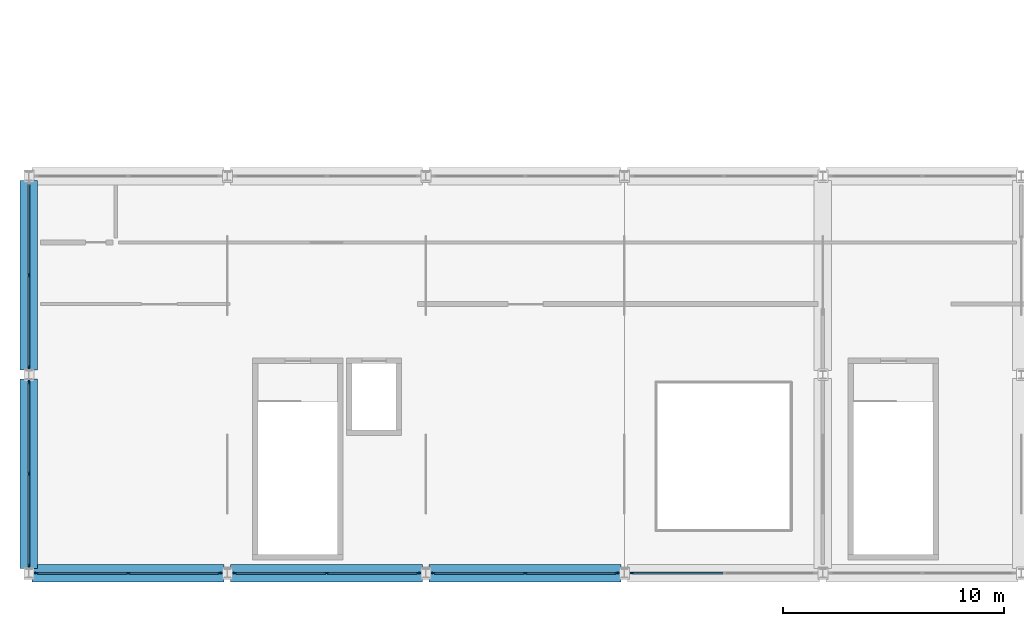
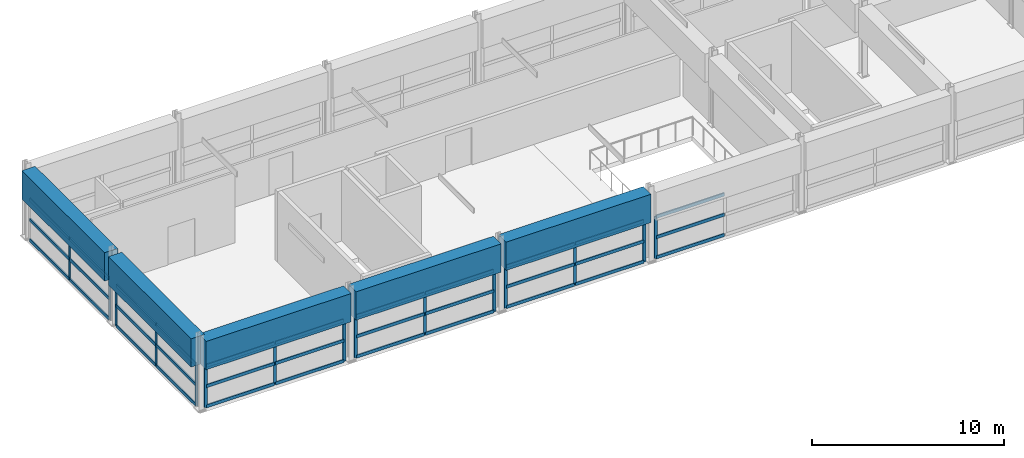
# One storey, part 3 of 56: 48 members, 5 beams, 6 elements without a shape of their own.
"""IFC4 building model written with IfcOpenShell, lengths in metres."""

import ifcopenshell
import ifcopenshell.guid

model = None  # the IFC model being written
_history = None  # IfcOwnerHistory: only IFC2X3 demands one
_inside = {}  # id of a spatial element -> (the spatial element, [elements in it])
_under = {}  # id of a project, library or spatial element -> (it, [spatial elements below it])
_declared = {}  # id of a project -> (the project, [libraries it declares])
_typed = {}  # id of a type object -> (the type object, [elements of that type])
_made_of = {}  # id of a material, layer set ... -> (it, [elements and type objects made of it])


def new_model(schema):
    """Start an empty IFC model of exactly this schema.

    Asked for "IFC4X3", IfcOpenShell would pick the latest addendum, in which some entities
    have other attributes; the version numbers below select the first issue.
    IFC2X3 requires an IfcOwnerHistory on every rooted entity: one is made here for all.
    """
    global model, _history
    if schema == "IFC4X3":
        model = ifcopenshell.file(schema_version=(4, 3, 0, 0))
    else:
        model = ifcopenshell.file(schema=schema)
    _inside.clear()
    _under.clear()
    _declared.clear()
    _typed.clear()
    _made_of.clear()
    _history = None
    if model.schema == "IFC2X3":
        org = make("IfcOrganization", Name="unknown")
        user = make(
            "IfcPersonAndOrganization",
            ThePerson=make("IfcPerson", FamilyName="unknown"),
            TheOrganization=org,
        )
        app = make(
            "IfcApplication",
            ApplicationDeveloper=org,
            Version="unknown",
            ApplicationFullName="unknown",
            ApplicationIdentifier="unknown",
        )
        _history = make(
            "IfcOwnerHistory",
            OwningUser=user,
            OwningApplication=app,
            ChangeAction="ADDED",
            CreationDate=0,
        )
    return model


def make(cls, **values):
    """One entity of the class cls with the attributes given. An attribute that is None is left unset."""
    return model.create_entity(
        cls, **{name: value for name, value in values.items() if value is not None}
    )


def rooted(cls, **values):
    """An entity with a GlobalId (a new one), such as an element, a storey or a relation."""
    return make(cls, GlobalId=ifcopenshell.guid.new(), OwnerHistory=_history, **values)


def si_unit(unit_type, name, prefix=None):
    """IfcSIUnit, for example si_unit("LENGTHUNIT", "METRE", prefix="MILLI")."""
    return make("IfcSIUnit", UnitType=unit_type, Prefix=prefix, Name=name)


def assignment(units):
    """IfcUnitAssignment: the units of a project."""
    return None if units is None else make("IfcUnitAssignment", Units=units)


def point(xyz):
    """IfcCartesianPoint."""
    return None if xyz is None else make("IfcCartesianPoint", Coordinates=xyz)


def direction(xyz):
    """IfcDirection."""
    return None if xyz is None else make("IfcDirection", DirectionRatios=xyz)


def frame(location, z_axis=None, x_axis=None):
    """IfcAxis2Placement3D, a coordinate frame: its origin and axes. An axis left out is left unset."""
    return make(
        "IfcAxis2Placement3D",
        Location=point(location),
        Axis=direction(z_axis),
        RefDirection=direction(x_axis),
    )


def frame_2d(location, x_axis=None):
    """IfcAxis2Placement2D, a coordinate frame in the plane: its origin and x axis."""
    return make(
        "IfcAxis2Placement2D", Location=point(location), RefDirection=direction(x_axis)
    )


def origin():
    """The frame at (0, 0, 0) with its axes left unset."""
    return frame((0.0, 0.0, 0.0))


def origin_2d():
    """The frame at (0, 0) in the plane with its x axis left unset."""
    return frame_2d((0.0, 0.0))


def place(relative_to, where):
    """IfcLocalPlacement: puts the frame where relative to a parent placement (None: the world)."""
    return make(
        "IfcLocalPlacement", PlacementRelTo=relative_to, RelativePlacement=where
    )


def context(
    kind, dimensions, precision=None, world=None, true_north=None, identifier=None
):
    """IfcGeometricRepresentationContext, for example the 3D "Model" context."""
    return make(
        "IfcGeometricRepresentationContext",
        ContextIdentifier=identifier,
        ContextType=kind,
        CoordinateSpaceDimension=dimensions,
        Precision=precision,
        WorldCoordinateSystem=world,
        TrueNorth=true_north,
    )


def subcontext(parent, identifier, kind, view, scale=None):
    """IfcGeometricRepresentationSubContext, for example "Body" below "Model"."""
    return make(
        "IfcGeometricRepresentationSubContext",
        ContextIdentifier=identifier,
        ContextType=kind,
        ParentContext=parent,
        TargetScale=scale,
        TargetView=view,
    )


def project(units=None, contexts=None):
    """IfcProject with its units and contexts."""
    return rooted(
        "IfcProject",
        Name="project",
        RepresentationContexts=contexts,
        UnitsInContext=assignment(units),
    )


def spatial(cls, under=None, at=None, **own):
    """A site, building, storey or space (cls), placed at a placement, below another one or the project."""
    s = rooted(cls, ObjectPlacement=at, **own)
    if under is not None:
        _under.setdefault(under.id(), (under, []))[1].append(s)
    return s


def profile(cls, at=None, kind="AREA", **sizes):
    """A parametric profile (cls). Its sizes go by their IFC names, for example OverallWidth=200.0."""
    return make(cls, ProfileType=kind, Position=at, **sizes)


def rectangle(**sizes):
    """IfcRectangleProfileDef."""
    return profile("IfcRectangleProfileDef", **sizes)


def extrude(swept, where, along, depth):
    """IfcExtrudedAreaSolid: the profile swept, set in the frame where, extruded along a direction by depth."""
    return make(
        "IfcExtrudedAreaSolid",
        SweptArea=swept,
        Position=where,
        ExtrudedDirection=direction(along),
        Depth=depth,
    )


def shape(context_of_items, identifier, shape_type, items):
    """IfcShapeRepresentation: the items that make up one representation, for example the "Body"."""
    return make(
        "IfcShapeRepresentation",
        ContextOfItems=context_of_items,
        RepresentationIdentifier=identifier,
        RepresentationType=shape_type,
        Items=items,
    )


def material(Name=None, Category=None):
    """IfcMaterial."""
    return make("IfcMaterial", Name=Name, Category=Category)


def material_profile(
    of_material, cross_section, Name=None, Category=None, Priority=None
):
    """IfcMaterialProfile: a cross section and its material."""
    return make(
        "IfcMaterialProfile",
        Name=Name,
        Material=of_material,
        Profile=cross_section,
        Priority=Priority,
        Category=Category,
    )


def profile_set(profiles, Name=None, composite=None):
    """IfcMaterialProfileSet."""
    return make(
        "IfcMaterialProfileSet",
        Name=Name,
        MaterialProfiles=profiles,
        CompositeProfile=composite,
    )


def made_of(thing, what):
    """Note that an element or type object is made of a material, layer set ...; save() writes the relation."""
    if what is not None:
        _made_of.setdefault(what.id(), (what, []))[1].append(thing)
    return thing


def type_object(cls, material=None, **own):
    """A type object (cls), such as IfcWallType, which elements share."""
    return made_of(rooted(cls, **own), material)


def element(
    cls,
    number,
    at=None,
    inside=None,
    cuts=None,
    type_object=None,
    material=None,
    context=None,
    identifier="Body",
    shape_type=None,
    held_by="IfcProductDefinitionShape",
    body=None,
    shapes=None,
    **own,
):
    """One element of the class cls, such as IfcWall. Its Tag is "e" and its number.

    at: its placement. inside: the storey or other place that contains it. cuts: it is an
    opening in that element (IfcRelVoidsElement). A single representation is given by context,
    identifier, shape_type and body (its items); several are given by shapes. held_by: the class
    of the entity that holds the representations. save() writes the other relations.
    """
    e = rooted(cls, Tag="e%d" % number, ObjectPlacement=at, **own)
    if body is not None:
        shapes = [shape(context, identifier, shape_type, body)]
    if shapes is not None:
        e.Representation = make(held_by, Representations=shapes)
    if inside is not None:
        _inside.setdefault(inside.id(), (inside, []))[1].append(e)
    if cuts is not None:
        rooted(
            "IfcRelVoidsElement", RelatingBuildingElement=cuts, RelatedOpeningElement=e
        )
    if type_object is not None:
        _typed.setdefault(type_object.id(), (type_object, []))[1].append(e)
    return made_of(e, material)


def aggregate(whole, parts):
    """IfcRelAggregates: a whole, such as a stair, and the parts it consists of."""
    return rooted("IfcRelAggregates", RelatingObject=whole, RelatedObjects=parts)


def save(model, path):
    """Write the relations noted so far, then the file.

    IfcRelAggregates (storeys below a building ...), IfcRelContainedInSpatialStructure (elements
    in a storey), IfcRelDefinesByType, IfcRelAssociatesMaterial and IfcRelDeclares: one each for
    every whole, place, type object, material and project.
    """
    for whole, parts in _under.values():
        aggregate(whole, parts)
    for where, things in _inside.values():
        rooted(
            "IfcRelContainedInSpatialStructure",
            RelatedElements=things,
            RelatingStructure=where,
        )
    for kind, things in _typed.values():
        rooted("IfcRelDefinesByType", RelatedObjects=things, RelatingType=kind)
    for what, things in _made_of.values():
        rooted("IfcRelAssociatesMaterial", RelatedObjects=things, RelatingMaterial=what)
    for by, libraries in _declared.values():
        rooted("IfcRelDeclares", RelatingContext=by, RelatedDefinitions=libraries)
    model.write(path)


model = new_model("IFC4")

# Units and contexts
model_context = context("Model", 3, precision=1e-05, world=origin(), true_north=direction((0.0, 1.0)))
body_context = subcontext(model_context, "Body", "Model", "MODEL_VIEW")
ifc_project = project(units=[si_unit("LENGTHUNIT", "METRE"), si_unit("AREAUNIT", "SQUARE_METRE"), si_unit("VOLUMEUNIT", "CUBIC_METRE"), si_unit("PLANEANGLEUNIT", "RADIAN"), si_unit("MASSUNIT", "GRAM", prefix="KILO")], contexts=[model_context])

# Site, building, storey
site_placement = place(None, origin())
site = spatial("IfcSite", under=ifc_project, at=site_placement, CompositionType="ELEMENT")
building_placement = place(site_placement, origin())
building = spatial("IfcBuilding", under=site, at=building_placement, Name="Bozkorgan Art Gallery", CompositionType="ELEMENT")
storey_placement = place(building_placement, frame((0.0, 0.0, 24.0)))
storey = spatial("IfcBuildingStorey", under=building, at=storey_placement, Name="L05", CompositionType="ELEMENT", Elevation=24.0)

# Beams
ifc_material_1 = material(Name="Concrete C35/45", Category="concrete")
ifc_material_profile_1 = material_profile(ifc_material_1, rectangle(XDim=0.800048828125, YDim=1.800048828125, at=origin_2d()), Name="RC 800x1800")
ifc_profile_set_1 = profile_set([ifc_material_profile_1], Name="Concrete C35/45")
beam_type = type_object("IfcBeamType", Name="BEAM-BM-77", PredefinedType="BEAM", material=ifc_profile_set_1)
for number, where, z_axis, x_axis, name in (
    (1, (2.14990234375, 2.0, 3.580078125), (1.0, 0.0, 0.0), (0.0, 1.0, 0.0), "V1 L05 beam X (2-11, 2.0)"),
    (2, (11.14990234375, 2.0, 3.580078125), (1.0, 0.0, 0.0), (0.0, 1.0, 0.0), "V1 L05 beam X (11-20, 2.0)"),
    (3, (20.14990234375, 2.0, 3.580078125), (1.0, 0.0, 0.0), (0.0, 1.0, 0.0), "V1 L05 beam X (20-29, 2.0)"),
):
    element("IfcBeam", number, at=place(storey_placement, frame(where, z_axis=z_axis, x_axis=x_axis)), inside=storey, type_object=beam_type, Name=name, PredefinedType="BEAM", context=body_context, shape_type="SweptSolid", body=[
        extrude(rectangle(XDim=0.800048828125, YDim=1.800048828125, at=origin_2d()), origin(), (0.0, 0.0, 1.0), 8.7001953125),
    ])
for number, where, z_axis, x_axis, name in (
    (4, (2.0, 2.199951171875, 3.580078125), (0.0, 1.0, 0.0), (-1.0, 0.0, 0.0), "V1 L05 beam Y (2, 2.0-11.0)"),
    (5, (2.0, 11.199951171875, 3.580078125), (0.0, 1.0, 0.0), (-1.0, 0.0, 0.0), "V1 L05 beam Y (2, 11.0-20.0)"),
):
    element("IfcBeam", number, at=place(storey_placement, frame(where, z_axis=z_axis, x_axis=x_axis)), inside=storey, type_object=beam_type, Name=name, PredefinedType="BEAM", context=body_context, shape_type="SweptSolid", body=[
        extrude(rectangle(XDim=0.800048828125, YDim=1.800048828125, at=origin_2d()), origin(), (0.0, 0.0, 1.0), 8.60009765625),
    ])

# Curtain wall, members
ifc_material_2 = material(Name="Anodised Bronze Aluminium", Category="aluminium")
curtain_wall_type = type_object("IfcCurtainWallType", Name="CW-CW-23", PredefinedType="NOTDEFINED", material=ifc_material_2)
curtain_wall_1_placement = place(storey_placement, origin())
curtain_wall_1 = element("IfcCurtainWall", 6, at=curtain_wall_1_placement, inside=storey, type_object=curtain_wall_type, Name="L05 unitised curtain wall CW-V1-L05-1S-01", PredefinedType="NOTDEFINED")
ifc_material_profile_2 = material_profile(ifc_material_2, rectangle(XDim=0.06494140625, YDim=0.179931640625, at=origin_2d()), Name="ALU MULLION 65x180")
ifc_profile_set_2 = profile_set([ifc_material_profile_2], Name="Anodised Bronze Aluminium")
member_type_1 = type_object("IfcMemberType", Name="CWM-01", PredefinedType="MULLION", material=ifc_profile_set_2)
member_1_placement = place(storey_placement, frame((2.347412109375, 2.0, 0.02001953125), z_axis=(0.0, 0.0, 1.0), x_axis=(0.0, 1.0, 0.0)))
member_1 = element("IfcMember", 7, at=member_1_placement, type_object=member_type_1, Name="CW-23 mullion 1", PredefinedType="MULLION", context=body_context, shape_type="SweptSolid", body=[
    extrude(rectangle(XDim=0.06494140625, YDim=0.179931640625, at=origin_2d()), origin(), (0.0, 0.0, 1.0), 2.64501953125),
])
member_2_placement = place(storey_placement, frame((6.5, 2.0, 0.02001953125), z_axis=(0.0, 0.0, 1.0), x_axis=(0.0, 1.0, 0.0)))
member_2 = element("IfcMember", 8, at=member_2_placement, type_object=member_type_1, Name="CW-23 mullion 2", PredefinedType="MULLION", context=body_context, shape_type="SweptSolid", body=[
    extrude(rectangle(XDim=0.06494140625, YDim=0.179931640625, at=origin_2d()), origin(), (0.0, 0.0, 1.0), 2.64501953125),
])
member_3_placement = place(storey_placement, frame((10.652587890625, 2.0, 0.02001953125), z_axis=(0.0, 0.0, 1.0), x_axis=(0.0, 1.0, 0.0)))
member_3 = element("IfcMember", 9, at=member_3_placement, type_object=member_type_1, Name="CW-23 mullion 3", PredefinedType="MULLION", context=body_context, shape_type="SweptSolid", body=[
    extrude(rectangle(XDim=0.06494140625, YDim=0.179931640625, at=origin_2d()), origin(), (0.0, 0.0, 1.0), 2.64501953125),
])

curtain_wall_2_placement = place(storey_placement, origin())
curtain_wall_2 = element("IfcCurtainWall", 10, at=curtain_wall_2_placement, inside=storey, type_object=curtain_wall_type, Name="L05 unitised curtain wall CW-V1-L05-1S-03", PredefinedType="NOTDEFINED")
member_4_placement = place(storey_placement, frame((11.347412109375, 2.0, 0.02001953125), z_axis=(0.0, 0.0, 1.0), x_axis=(0.0, 1.0, 0.0)))
member_4 = element("IfcMember", 11, at=member_4_placement, type_object=member_type_1, Name="CW-23 mullion 1", PredefinedType="MULLION", context=body_context, shape_type="SweptSolid", body=[
    extrude(rectangle(XDim=0.06494140625, YDim=0.179931640625, at=origin_2d()), origin(), (0.0, 0.0, 1.0), 2.64501953125),
])
member_5_placement = place(storey_placement, frame((15.5, 2.0, 0.02001953125), z_axis=(0.0, 0.0, 1.0), x_axis=(0.0, 1.0, 0.0)))
member_5 = element("IfcMember", 12, at=member_5_placement, type_object=member_type_1, Name="CW-23 mullion 2", PredefinedType="MULLION", context=body_context, shape_type="SweptSolid", body=[
    extrude(rectangle(XDim=0.06494140625, YDim=0.179931640625, at=origin_2d()), origin(), (0.0, 0.0, 1.0), 2.64501953125),
])
member_6_placement = place(storey_placement, frame((19.652587890625, 2.0, 0.02001953125), z_axis=(0.0, 0.0, 1.0), x_axis=(0.0, 1.0, 0.0)))
member_6 = element("IfcMember", 13, at=member_6_placement, type_object=member_type_1, Name="CW-23 mullion 3", PredefinedType="MULLION", context=body_context, shape_type="SweptSolid", body=[
    extrude(rectangle(XDim=0.06494140625, YDim=0.179931640625, at=origin_2d()), origin(), (0.0, 0.0, 1.0), 2.64501953125),
])

curtain_wall_3_placement = place(storey_placement, origin())
curtain_wall_3 = element("IfcCurtainWall", 14, at=curtain_wall_3_placement, inside=storey, type_object=curtain_wall_type, Name="L05 unitised curtain wall CW-V1-L05-1S-05", PredefinedType="NOTDEFINED")
member_7_placement = place(storey_placement, frame((20.347412109375, 2.0, 0.02001953125), z_axis=(0.0, 0.0, 1.0), x_axis=(0.0, 1.0, 0.0)))
member_7 = element("IfcMember", 15, at=member_7_placement, type_object=member_type_1, Name="CW-23 mullion 1", PredefinedType="MULLION", context=body_context, shape_type="SweptSolid", body=[
    extrude(rectangle(XDim=0.06494140625, YDim=0.179931640625, at=origin_2d()), origin(), (0.0, 0.0, 1.0), 2.64501953125),
])
member_8_placement = place(storey_placement, frame((24.5, 2.0, 0.02001953125), z_axis=(0.0, 0.0, 1.0), x_axis=(0.0, 1.0, 0.0)))
member_8 = element("IfcMember", 16, at=member_8_placement, type_object=member_type_1, Name="CW-23 mullion 2", PredefinedType="MULLION", context=body_context, shape_type="SweptSolid", body=[
    extrude(rectangle(XDim=0.06494140625, YDim=0.179931640625, at=origin_2d()), origin(), (0.0, 0.0, 1.0), 2.64501953125),
])
member_9_placement = place(storey_placement, frame((28.652587890625, 2.0, 0.02001953125), z_axis=(0.0, 0.0, 1.0), x_axis=(0.0, 1.0, 0.0)))
member_9 = element("IfcMember", 17, at=member_9_placement, type_object=member_type_1, Name="CW-23 mullion 3", PredefinedType="MULLION", context=body_context, shape_type="SweptSolid", body=[
    extrude(rectangle(XDim=0.06494140625, YDim=0.179931640625, at=origin_2d()), origin(), (0.0, 0.0, 1.0), 2.64501953125),
])

# Curtain wall, member
curtain_wall_4_placement = place(storey_placement, origin())
curtain_wall_4 = element("IfcCurtainWall", 18, at=curtain_wall_4_placement, inside=storey, type_object=curtain_wall_type, Name="L05 unitised curtain wall CW-V1-L05-1S-07", PredefinedType="NOTDEFINED")
member_10_placement = place(storey_placement, frame((29.347412109375, 2.0, 0.02001953125), z_axis=(0.0, 0.0, 1.0), x_axis=(0.0, 1.0, 0.0)))
member_10 = element("IfcMember", 19, at=member_10_placement, type_object=member_type_1, Name="CW-23 mullion 1", PredefinedType="MULLION", context=body_context, shape_type="SweptSolid", body=[
    extrude(rectangle(XDim=0.06494140625, YDim=0.179931640625, at=origin_2d()), origin(), (0.0, 0.0, 1.0), 2.64501953125),
])

# Curtain wall, members
curtain_wall_5_placement = place(storey_placement, origin())
curtain_wall_5 = element("IfcCurtainWall", 20, at=curtain_wall_5_placement, inside=storey, type_object=curtain_wall_type, Name="L05 unitised curtain wall CW-V1-L05-1W-15", PredefinedType="NOTDEFINED")
member_11_placement = place(storey_placement, frame((2.0, 2.347412109375, 0.02001953125), z_axis=(0.0, 0.0, 1.0), x_axis=(-1.0, 0.0, 0.0)))
member_11 = element("IfcMember", 21, at=member_11_placement, type_object=member_type_1, Name="CW-23 mullion 1", PredefinedType="MULLION", context=body_context, shape_type="SweptSolid", body=[
    extrude(rectangle(XDim=0.06494140625, YDim=0.179931640625, at=origin_2d()), origin(), (0.0, 0.0, 1.0), 2.64501953125),
])
member_12_placement = place(storey_placement, frame((2.0, 6.5, 0.02001953125), z_axis=(0.0, 0.0, 1.0), x_axis=(-1.0, 0.0, 0.0)))
member_12 = element("IfcMember", 22, at=member_12_placement, type_object=member_type_1, Name="CW-23 mullion 2", PredefinedType="MULLION", context=body_context, shape_type="SweptSolid", body=[
    extrude(rectangle(XDim=0.06494140625, YDim=0.179931640625, at=origin_2d()), origin(), (0.0, 0.0, 1.0), 2.64501953125),
])
member_13_placement = place(storey_placement, frame((2.0, 10.652587890625, 0.02001953125), z_axis=(0.0, 0.0, 1.0), x_axis=(-1.0, 0.0, 0.0)))
member_13 = element("IfcMember", 23, at=member_13_placement, type_object=member_type_1, Name="CW-23 mullion 3", PredefinedType="MULLION", context=body_context, shape_type="SweptSolid", body=[
    extrude(rectangle(XDim=0.06494140625, YDim=0.179931640625, at=origin_2d()), origin(), (0.0, 0.0, 1.0), 2.64501953125),
])

curtain_wall_6_placement = place(storey_placement, origin())
curtain_wall_6 = element("IfcCurtainWall", 24, at=curtain_wall_6_placement, inside=storey, type_object=curtain_wall_type, Name="L05 unitised curtain wall CW-V1-L05-1W-17", PredefinedType="NOTDEFINED")
member_14_placement = place(storey_placement, frame((2.0, 11.347412109375, 0.02001953125), z_axis=(0.0, 0.0, 1.0), x_axis=(-1.0, 0.0, 0.0)))
member_14 = element("IfcMember", 25, at=member_14_placement, type_object=member_type_1, Name="CW-23 mullion 1", PredefinedType="MULLION", context=body_context, shape_type="SweptSolid", body=[
    extrude(rectangle(XDim=0.06494140625, YDim=0.179931640625, at=origin_2d()), origin(), (0.0, 0.0, 1.0), 2.64501953125),
])
member_15_placement = place(storey_placement, frame((2.0, 15.5, 0.02001953125), z_axis=(0.0, 0.0, 1.0), x_axis=(-1.0, 0.0, 0.0)))
member_15 = element("IfcMember", 26, at=member_15_placement, type_object=member_type_1, Name="CW-23 mullion 2", PredefinedType="MULLION", context=body_context, shape_type="SweptSolid", body=[
    extrude(rectangle(XDim=0.06494140625, YDim=0.179931640625, at=origin_2d()), origin(), (0.0, 0.0, 1.0), 2.64501953125),
])

# Member
ifc_material_profile_3 = material_profile(ifc_material_2, rectangle(XDim=0.080078125, YDim=0.199951171875, at=origin_2d()), Name="ALU TRANSOM 80x200")
ifc_profile_set_3 = profile_set([ifc_material_profile_3], Name="Anodised Bronze Aluminium")
member_type_2 = type_object("IfcMemberType", Name="CWT-03", PredefinedType="USERDEFINED", material=ifc_profile_set_3)
member_16_placement = place(storey_placement, frame((2.3798828125, 2.0, 0.06005859375), z_axis=(1.0, 0.0, 0.0), x_axis=(0.0, 1.0, 0.0)))
member_16 = element("IfcMember", 27, at=member_16_placement, type_object=member_type_2, Name="CW-23 transom 1.1", ObjectType="TRANSOM", PredefinedType="USERDEFINED", context=body_context, shape_type="SweptSolid", body=[
    extrude(rectangle(XDim=0.080078125, YDim=0.199951171875, at=origin_2d()), origin(), (0.0, 0.0, 1.0), 4.087646484375),
])

member_17_placement = place(storey_placement, frame((2.3798828125, 2.0, 1.343017578125), z_axis=(1.0, 0.0, 0.0), x_axis=(0.0, 1.0, 0.0)))
member_17 = element("IfcMember", 28, at=member_17_placement, type_object=member_type_2, Name="CW-23 transom 1.2", ObjectType="TRANSOM", PredefinedType="USERDEFINED", context=body_context, shape_type="SweptSolid", body=[
    extrude(rectangle(XDim=0.080078125, YDim=0.199951171875, at=origin_2d()), origin(), (0.0, 0.0, 1.0), 4.087646484375),
])

member_18_placement = place(storey_placement, frame((2.3798828125, 2.0, 2.625), z_axis=(1.0, 0.0, 0.0), x_axis=(0.0, 1.0, 0.0)))
member_18 = element("IfcMember", 29, at=member_18_placement, type_object=member_type_2, Name="CW-23 transom 1.3", ObjectType="TRANSOM", PredefinedType="USERDEFINED", context=body_context, shape_type="SweptSolid", body=[
    extrude(rectangle(XDim=0.080078125, YDim=0.199951171875, at=origin_2d()), origin(), (0.0, 0.0, 1.0), 4.087646484375),
])

member_19_placement = place(storey_placement, frame((6.532470703125, 2.0, 0.06005859375), z_axis=(1.0, 0.0, 0.0), x_axis=(0.0, 1.0, 0.0)))
member_19 = element("IfcMember", 30, at=member_19_placement, type_object=member_type_2, Name="CW-23 transom 2.1", ObjectType="TRANSOM", PredefinedType="USERDEFINED", context=body_context, shape_type="SweptSolid", body=[
    extrude(rectangle(XDim=0.080078125, YDim=0.199951171875, at=origin_2d()), origin(), (0.0, 0.0, 1.0), 4.087646484375),
])

member_20_placement = place(storey_placement, frame((6.532470703125, 2.0, 1.343017578125), z_axis=(1.0, 0.0, 0.0), x_axis=(0.0, 1.0, 0.0)))
member_20 = element("IfcMember", 31, at=member_20_placement, type_object=member_type_2, Name="CW-23 transom 2.2", ObjectType="TRANSOM", PredefinedType="USERDEFINED", context=body_context, shape_type="SweptSolid", body=[
    extrude(rectangle(XDim=0.080078125, YDim=0.199951171875, at=origin_2d()), origin(), (0.0, 0.0, 1.0), 4.087646484375),
])

member_21_placement = place(storey_placement, frame((6.532470703125, 2.0, 2.625), z_axis=(1.0, 0.0, 0.0), x_axis=(0.0, 1.0, 0.0)))
member_21 = element("IfcMember", 32, at=member_21_placement, type_object=member_type_2, Name="CW-23 transom 2.3", ObjectType="TRANSOM", PredefinedType="USERDEFINED", context=body_context, shape_type="SweptSolid", body=[
    extrude(rectangle(XDim=0.080078125, YDim=0.199951171875, at=origin_2d()), origin(), (0.0, 0.0, 1.0), 4.087646484375),
])

aggregate(curtain_wall_1, [member_1, member_2, member_3, member_16, member_17, member_18, member_19, member_20, member_21])

member_22_placement = place(storey_placement, frame((11.3798828125, 2.0, 0.06005859375), z_axis=(1.0, 0.0, 0.0), x_axis=(0.0, 1.0, 0.0)))
member_22 = element("IfcMember", 33, at=member_22_placement, type_object=member_type_2, Name="CW-23 transom 1.1", ObjectType="TRANSOM", PredefinedType="USERDEFINED", context=body_context, shape_type="SweptSolid", body=[
    extrude(rectangle(XDim=0.080078125, YDim=0.199951171875, at=origin_2d()), origin(), (0.0, 0.0, 1.0), 4.087646484375),
])

member_23_placement = place(storey_placement, frame((11.3798828125, 2.0, 1.343017578125), z_axis=(1.0, 0.0, 0.0), x_axis=(0.0, 1.0, 0.0)))
member_23 = element("IfcMember", 34, at=member_23_placement, type_object=member_type_2, Name="CW-23 transom 1.2", ObjectType="TRANSOM", PredefinedType="USERDEFINED", context=body_context, shape_type="SweptSolid", body=[
    extrude(rectangle(XDim=0.080078125, YDim=0.199951171875, at=origin_2d()), origin(), (0.0, 0.0, 1.0), 4.087646484375),
])

member_24_placement = place(storey_placement, frame((11.3798828125, 2.0, 2.625), z_axis=(1.0, 0.0, 0.0), x_axis=(0.0, 1.0, 0.0)))
member_24 = element("IfcMember", 35, at=member_24_placement, type_object=member_type_2, Name="CW-23 transom 1.3", ObjectType="TRANSOM", PredefinedType="USERDEFINED", context=body_context, shape_type="SweptSolid", body=[
    extrude(rectangle(XDim=0.080078125, YDim=0.199951171875, at=origin_2d()), origin(), (0.0, 0.0, 1.0), 4.087646484375),
])

member_25_placement = place(storey_placement, frame((15.532470703125, 2.0, 0.06005859375), z_axis=(1.0, 0.0, 0.0), x_axis=(0.0, 1.0, 0.0)))
member_25 = element("IfcMember", 36, at=member_25_placement, type_object=member_type_2, Name="CW-23 transom 2.1", ObjectType="TRANSOM", PredefinedType="USERDEFINED", context=body_context, shape_type="SweptSolid", body=[
    extrude(rectangle(XDim=0.080078125, YDim=0.199951171875, at=origin_2d()), origin(), (0.0, 0.0, 1.0), 4.087646484375),
])

member_26_placement = place(storey_placement, frame((15.532470703125, 2.0, 1.343017578125), z_axis=(1.0, 0.0, 0.0), x_axis=(0.0, 1.0, 0.0)))
member_26 = element("IfcMember", 37, at=member_26_placement, type_object=member_type_2, Name="CW-23 transom 2.2", ObjectType="TRANSOM", PredefinedType="USERDEFINED", context=body_context, shape_type="SweptSolid", body=[
    extrude(rectangle(XDim=0.080078125, YDim=0.199951171875, at=origin_2d()), origin(), (0.0, 0.0, 1.0), 4.087646484375),
])

member_27_placement = place(storey_placement, frame((15.532470703125, 2.0, 2.625), z_axis=(1.0, 0.0, 0.0), x_axis=(0.0, 1.0, 0.0)))
member_27 = element("IfcMember", 38, at=member_27_placement, type_object=member_type_2, Name="CW-23 transom 2.3", ObjectType="TRANSOM", PredefinedType="USERDEFINED", context=body_context, shape_type="SweptSolid", body=[
    extrude(rectangle(XDim=0.080078125, YDim=0.199951171875, at=origin_2d()), origin(), (0.0, 0.0, 1.0), 4.087646484375),
])

aggregate(curtain_wall_2, [member_4, member_5, member_6, member_22, member_23, member_24, member_25, member_26, member_27])

member_28_placement = place(storey_placement, frame((20.3798828125, 2.0, 0.06005859375), z_axis=(1.0, 0.0, 0.0), x_axis=(0.0, 1.0, 0.0)))
member_28 = element("IfcMember", 39, at=member_28_placement, type_object=member_type_2, Name="CW-23 transom 1.1", ObjectType="TRANSOM", PredefinedType="USERDEFINED", context=body_context, shape_type="SweptSolid", body=[
    extrude(rectangle(XDim=0.080078125, YDim=0.199951171875, at=origin_2d()), origin(), (0.0, 0.0, 1.0), 4.087646484375),
])

member_29_placement = place(storey_placement, frame((20.3798828125, 2.0, 1.343017578125), z_axis=(1.0, 0.0, 0.0), x_axis=(0.0, 1.0, 0.0)))
member_29 = element("IfcMember", 40, at=member_29_placement, type_object=member_type_2, Name="CW-23 transom 1.2", ObjectType="TRANSOM", PredefinedType="USERDEFINED", context=body_context, shape_type="SweptSolid", body=[
    extrude(rectangle(XDim=0.080078125, YDim=0.199951171875, at=origin_2d()), origin(), (0.0, 0.0, 1.0), 4.087646484375),
])

member_30_placement = place(storey_placement, frame((20.3798828125, 2.0, 2.625), z_axis=(1.0, 0.0, 0.0), x_axis=(0.0, 1.0, 0.0)))
member_30 = element("IfcMember", 41, at=member_30_placement, type_object=member_type_2, Name="CW-23 transom 1.3", ObjectType="TRANSOM", PredefinedType="USERDEFINED", context=body_context, shape_type="SweptSolid", body=[
    extrude(rectangle(XDim=0.080078125, YDim=0.199951171875, at=origin_2d()), origin(), (0.0, 0.0, 1.0), 4.087646484375),
])

member_31_placement = place(storey_placement, frame((24.532470703125, 2.0, 0.06005859375), z_axis=(1.0, 0.0, 0.0), x_axis=(0.0, 1.0, 0.0)))
member_31 = element("IfcMember", 42, at=member_31_placement, type_object=member_type_2, Name="CW-23 transom 2.1", ObjectType="TRANSOM", PredefinedType="USERDEFINED", context=body_context, shape_type="SweptSolid", body=[
    extrude(rectangle(XDim=0.080078125, YDim=0.199951171875, at=origin_2d()), origin(), (0.0, 0.0, 1.0), 4.087646484375),
])

member_32_placement = place(storey_placement, frame((24.532470703125, 2.0, 1.343017578125), z_axis=(1.0, 0.0, 0.0), x_axis=(0.0, 1.0, 0.0)))
member_32 = element("IfcMember", 43, at=member_32_placement, type_object=member_type_2, Name="CW-23 transom 2.2", ObjectType="TRANSOM", PredefinedType="USERDEFINED", context=body_context, shape_type="SweptSolid", body=[
    extrude(rectangle(XDim=0.080078125, YDim=0.199951171875, at=origin_2d()), origin(), (0.0, 0.0, 1.0), 4.087646484375),
])

member_33_placement = place(storey_placement, frame((24.532470703125, 2.0, 2.625), z_axis=(1.0, 0.0, 0.0), x_axis=(0.0, 1.0, 0.0)))
member_33 = element("IfcMember", 44, at=member_33_placement, type_object=member_type_2, Name="CW-23 transom 2.3", ObjectType="TRANSOM", PredefinedType="USERDEFINED", context=body_context, shape_type="SweptSolid", body=[
    extrude(rectangle(XDim=0.080078125, YDim=0.199951171875, at=origin_2d()), origin(), (0.0, 0.0, 1.0), 4.087646484375),
])

aggregate(curtain_wall_3, [member_7, member_8, member_9, member_28, member_29, member_30, member_31, member_32, member_33])

member_34_placement = place(storey_placement, frame((29.3798828125, 2.0, 0.06005859375), z_axis=(1.0, 0.0, 0.0), x_axis=(0.0, 1.0, 0.0)))
member_34 = element("IfcMember", 45, at=member_34_placement, type_object=member_type_2, Name="CW-23 transom 1.1", ObjectType="TRANSOM", PredefinedType="USERDEFINED", context=body_context, shape_type="SweptSolid", body=[
    extrude(rectangle(XDim=0.080078125, YDim=0.199951171875, at=origin_2d()), origin(), (0.0, 0.0, 1.0), 4.087646484375),
])

member_35_placement = place(storey_placement, frame((29.3798828125, 2.0, 1.343017578125), z_axis=(1.0, 0.0, 0.0), x_axis=(0.0, 1.0, 0.0)))
member_35 = element("IfcMember", 46, at=member_35_placement, type_object=member_type_2, Name="CW-23 transom 1.2", ObjectType="TRANSOM", PredefinedType="USERDEFINED", context=body_context, shape_type="SweptSolid", body=[
    extrude(rectangle(XDim=0.080078125, YDim=0.199951171875, at=origin_2d()), origin(), (0.0, 0.0, 1.0), 4.087646484375),
])

member_36_placement = place(storey_placement, frame((29.3798828125, 2.0, 2.625), z_axis=(1.0, 0.0, 0.0), x_axis=(0.0, 1.0, 0.0)))
member_36 = element("IfcMember", 47, at=member_36_placement, type_object=member_type_2, Name="CW-23 transom 1.3", ObjectType="TRANSOM", PredefinedType="USERDEFINED", context=body_context, shape_type="SweptSolid", body=[
    extrude(rectangle(XDim=0.080078125, YDim=0.199951171875, at=origin_2d()), origin(), (0.0, 0.0, 1.0), 4.087646484375),
])

aggregate(curtain_wall_4, [member_10, member_34, member_35, member_36])

member_37_placement = place(storey_placement, frame((2.0, 2.3798828125, 0.06005859375), z_axis=(0.0, 1.0, 0.0), x_axis=(-1.0, 0.0, 0.0)))
member_37 = element("IfcMember", 48, at=member_37_placement, type_object=member_type_2, Name="CW-23 transom 1.1", ObjectType="TRANSOM", PredefinedType="USERDEFINED", context=body_context, shape_type="SweptSolid", body=[
    extrude(rectangle(XDim=0.080078125, YDim=0.199951171875, at=origin_2d()), origin(), (0.0, 0.0, 1.0), 4.087646484375),
])

member_38_placement = place(storey_placement, frame((2.0, 2.3798828125, 1.343017578125), z_axis=(0.0, 1.0, 0.0), x_axis=(-1.0, 0.0, 0.0)))
member_38 = element("IfcMember", 49, at=member_38_placement, type_object=member_type_2, Name="CW-23 transom 1.2", ObjectType="TRANSOM", PredefinedType="USERDEFINED", context=body_context, shape_type="SweptSolid", body=[
    extrude(rectangle(XDim=0.080078125, YDim=0.199951171875, at=origin_2d()), origin(), (0.0, 0.0, 1.0), 4.087646484375),
])

member_39_placement = place(storey_placement, frame((2.0, 2.3798828125, 2.625), z_axis=(0.0, 1.0, 0.0), x_axis=(-1.0, 0.0, 0.0)))
member_39 = element("IfcMember", 50, at=member_39_placement, type_object=member_type_2, Name="CW-23 transom 1.3", ObjectType="TRANSOM", PredefinedType="USERDEFINED", context=body_context, shape_type="SweptSolid", body=[
    extrude(rectangle(XDim=0.080078125, YDim=0.199951171875, at=origin_2d()), origin(), (0.0, 0.0, 1.0), 4.087646484375),
])

member_40_placement = place(storey_placement, frame((2.0, 6.532470703125, 0.06005859375), z_axis=(0.0, 1.0, 0.0), x_axis=(-1.0, 0.0, 0.0)))
member_40 = element("IfcMember", 51, at=member_40_placement, type_object=member_type_2, Name="CW-23 transom 2.1", ObjectType="TRANSOM", PredefinedType="USERDEFINED", context=body_context, shape_type="SweptSolid", body=[
    extrude(rectangle(XDim=0.080078125, YDim=0.199951171875, at=origin_2d()), origin(), (0.0, 0.0, 1.0), 4.087646484375),
])

member_41_placement = place(storey_placement, frame((2.0, 6.532470703125, 1.343017578125), z_axis=(0.0, 1.0, 0.0), x_axis=(-1.0, 0.0, 0.0)))
member_41 = element("IfcMember", 52, at=member_41_placement, type_object=member_type_2, Name="CW-23 transom 2.2", ObjectType="TRANSOM", PredefinedType="USERDEFINED", context=body_context, shape_type="SweptSolid", body=[
    extrude(rectangle(XDim=0.080078125, YDim=0.199951171875, at=origin_2d()), origin(), (0.0, 0.0, 1.0), 4.087646484375),
])

member_42_placement = place(storey_placement, frame((2.0, 6.532470703125, 2.625), z_axis=(0.0, 1.0, 0.0), x_axis=(-1.0, 0.0, 0.0)))
member_42 = element("IfcMember", 53, at=member_42_placement, type_object=member_type_2, Name="CW-23 transom 2.3", ObjectType="TRANSOM", PredefinedType="USERDEFINED", context=body_context, shape_type="SweptSolid", body=[
    extrude(rectangle(XDim=0.080078125, YDim=0.199951171875, at=origin_2d()), origin(), (0.0, 0.0, 1.0), 4.087646484375),
])

aggregate(curtain_wall_5, [member_11, member_12, member_13, member_37, member_38, member_39, member_40, member_41, member_42])

member_43_placement = place(storey_placement, frame((2.0, 11.3798828125, 0.06005859375), z_axis=(0.0, 1.0, 0.0), x_axis=(-1.0, 0.0, 0.0)))
member_43 = element("IfcMember", 54, at=member_43_placement, type_object=member_type_2, Name="CW-23 transom 1.1", ObjectType="TRANSOM", PredefinedType="USERDEFINED", context=body_context, shape_type="SweptSolid", body=[
    extrude(rectangle(XDim=0.080078125, YDim=0.199951171875, at=origin_2d()), origin(), (0.0, 0.0, 1.0), 4.087646484375),
])

member_44_placement = place(storey_placement, frame((2.0, 11.3798828125, 1.343017578125), z_axis=(0.0, 1.0, 0.0), x_axis=(-1.0, 0.0, 0.0)))
member_44 = element("IfcMember", 55, at=member_44_placement, type_object=member_type_2, Name="CW-23 transom 1.2", ObjectType="TRANSOM", PredefinedType="USERDEFINED", context=body_context, shape_type="SweptSolid", body=[
    extrude(rectangle(XDim=0.080078125, YDim=0.199951171875, at=origin_2d()), origin(), (0.0, 0.0, 1.0), 4.087646484375),
])

member_45_placement = place(storey_placement, frame((2.0, 11.3798828125, 2.625), z_axis=(0.0, 1.0, 0.0), x_axis=(-1.0, 0.0, 0.0)))
member_45 = element("IfcMember", 56, at=member_45_placement, type_object=member_type_2, Name="CW-23 transom 1.3", ObjectType="TRANSOM", PredefinedType="USERDEFINED", context=body_context, shape_type="SweptSolid", body=[
    extrude(rectangle(XDim=0.080078125, YDim=0.199951171875, at=origin_2d()), origin(), (0.0, 0.0, 1.0), 4.087646484375),
])

member_46_placement = place(storey_placement, frame((2.0, 15.532470703125, 0.06005859375), z_axis=(0.0, 1.0, 0.0), x_axis=(-1.0, 0.0, 0.0)))
member_46 = element("IfcMember", 57, at=member_46_placement, type_object=member_type_2, Name="CW-23 transom 2.1", ObjectType="TRANSOM", PredefinedType="USERDEFINED", context=body_context, shape_type="SweptSolid", body=[
    extrude(rectangle(XDim=0.080078125, YDim=0.199951171875, at=origin_2d()), origin(), (0.0, 0.0, 1.0), 4.087646484375),
])

member_47_placement = place(storey_placement, frame((2.0, 15.532470703125, 1.343017578125), z_axis=(0.0, 1.0, 0.0), x_axis=(-1.0, 0.0, 0.0)))
member_47 = element("IfcMember", 58, at=member_47_placement, type_object=member_type_2, Name="CW-23 transom 2.2", ObjectType="TRANSOM", PredefinedType="USERDEFINED", context=body_context, shape_type="SweptSolid", body=[
    extrude(rectangle(XDim=0.080078125, YDim=0.199951171875, at=origin_2d()), origin(), (0.0, 0.0, 1.0), 4.087646484375),
])

member_48_placement = place(storey_placement, frame((2.0, 15.532470703125, 2.625), z_axis=(0.0, 1.0, 0.0), x_axis=(-1.0, 0.0, 0.0)))
member_48 = element("IfcMember", 59, at=member_48_placement, type_object=member_type_2, Name="CW-23 transom 2.3", ObjectType="TRANSOM", PredefinedType="USERDEFINED", context=body_context, shape_type="SweptSolid", body=[
    extrude(rectangle(XDim=0.080078125, YDim=0.199951171875, at=origin_2d()), origin(), (0.0, 0.0, 1.0), 4.087646484375),
])

aggregate(curtain_wall_6, [member_14, member_15, member_43, member_44, member_45, member_46, member_47, member_48])

save(model, "model.ifc")
